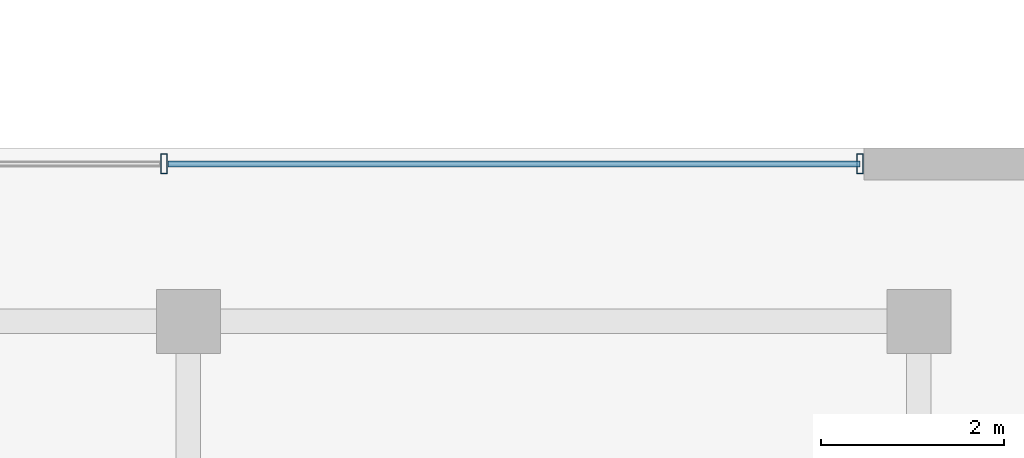
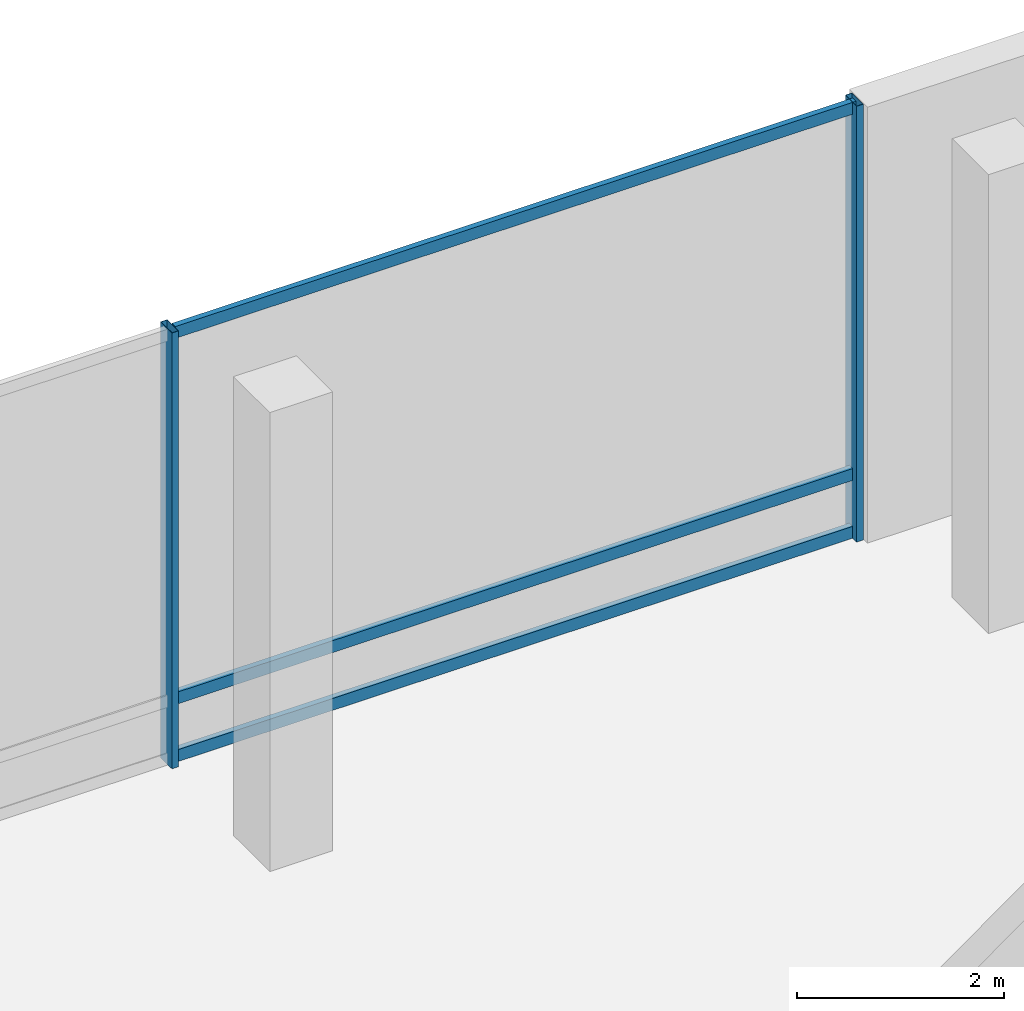
# One storey, part 14 of 25: 5 members, 1 element without a shape of its own.
"""IFC4 building model written with IfcOpenShell, lengths in metres."""

from ifc_helpers import new_model, si_unit, direction, frame, origin, origin_2d, place, context, subcontext, project, spatial, hollow_rectangle, extrude, material, layer, layer_set, material_profile, profile_set, type_object, element, aggregate, save


model = new_model("IFC4")

# Units and contexts
model_context = context("Model", 3, precision=1e-05, world=origin(), true_north=direction((0.0, 1.0)))
body_context = subcontext(model_context, "Body", "Model", "MODEL_VIEW")
ifc_project = project(units=[si_unit("LENGTHUNIT", "METRE"), si_unit("AREAUNIT", "SQUARE_METRE"), si_unit("VOLUMEUNIT", "CUBIC_METRE"), si_unit("PLANEANGLEUNIT", "RADIAN"), si_unit("MASSUNIT", "GRAM", prefix="KILO")], contexts=[model_context])

# Site, building, storey
site_placement = place(None, origin())
site = spatial("IfcSite", under=ifc_project, at=site_placement, CompositionType="ELEMENT")
building_placement = place(site_placement, origin())
building = spatial("IfcBuilding", under=site, at=building_placement, Name="Barlavira Tower and Art Museum", CompositionType="ELEMENT")
storey_placement = place(building_placement, frame((0.0, 0.0, 22.199951171875)))
storey = spatial("IfcBuildingStorey", under=building, at=storey_placement, Name="L04", CompositionType="ELEMENT", Elevation=22.199951171875)

# Curtain wall, members
ifc_material_1 = material(Name="Low-iron coastal laminated glass", Category="glass")
ifc_layer = layer(ifc_material_1, 0.199951171875, Name="Low-iron coastal laminated glass")
ifc_layer_set = layer_set([ifc_layer], Name="Low-iron coastal laminated glass")
curtain_wall_type = type_object("IfcCurtainWallType", Name="Coastal Art Museum North-Light Curtain Wall", PredefinedType="NOTDEFINED", material=ifc_layer_set)
curtain_wall_placement = place(storey_placement, origin())
curtain_wall = element("IfcCurtainWall", 1, at=curtain_wall_placement, inside=storey, type_object=curtain_wall_type, Name="L04 Curtain Wall CW6-MUS-L04-N", PredefinedType="NOTDEFINED")
ifc_material_2 = material(Name="Pale anodised aluminium", Category="aluminium")
ifc_material_profile_1 = material_profile(ifc_material_2, hollow_rectangle(XDim=0.074951171875, YDim=0.219970703125, WallThickness=0.0048828125, at=origin_2d()), Name="ALU-MULL 75x220x5")
ifc_profile_set_1 = profile_set([ifc_material_profile_1], Name="Pale anodised aluminium")
member_type_1 = type_object("IfcMemberType", Name="Curtain Wall Heavy Pale-Metal Mullion 75x220", PredefinedType="MULLION", material=ifc_profile_set_1)
member_1_placement = place(storey_placement, frame((54.955078125, 23.824951171875, 0.0), z_axis=(0.0, 0.0, 1.0), x_axis=(-1.0, 0.0, 0.0)))
member_1 = element("IfcMember", 2, at=member_1_placement, type_object=member_type_1, Name="CW6-MUS-L04-N Mullion 0", PredefinedType="MULLION", context=body_context, shape_type="SweptSolid", body=[
    extrude(hollow_rectangle(XDim=0.074951171875, YDim=0.219970703125, WallThickness=0.0048828125, at=origin_2d()), origin(), (0.0, 0.0, 1.0), 5.130126953125),
])
member_2_placement = place(storey_placement, frame((47.333251953125, 23.824951171875, 0.0), z_axis=(0.0, 0.0, 1.0), x_axis=(-1.0, 0.0, 0.0)))
member_2 = element("IfcMember", 3, at=member_2_placement, type_object=member_type_1, Name="CW6-MUS-L04-N Mullion 1", PredefinedType="MULLION", context=body_context, shape_type="SweptSolid", body=[
    extrude(hollow_rectangle(XDim=0.074951171875, YDim=0.219970703125, WallThickness=0.0048828125, at=origin_2d()), origin(), (0.0, 0.0, 1.0), 5.130126953125),
])
ifc_material_profile_2 = material_profile(ifc_material_2, hollow_rectangle(XDim=0.06494140625, YDim=0.139892578125, WallThickness=0.00390625, at=origin_2d()), Name="ALU-TRAN 65x140x4")
ifc_profile_set_2 = profile_set([ifc_material_profile_2], Name="Pale anodised aluminium")
member_type_2 = type_object("IfcMemberType", Name="Curtain Wall Pale-Metal Transom 65x140", PredefinedType="USERDEFINED", material=ifc_profile_set_2)
member_3_placement = place(storey_placement, frame((54.955078125, 23.824951171875, 0.070068359375), z_axis=(-1.0, 0.0, 0.0), x_axis=(0.0, -1.0, 0.0)))
member_3 = element("IfcMember", 4, at=member_3_placement, type_object=member_type_2, Name="CW6-MUS-L04-N Transom 0.1", ObjectType="TRANSOM", PredefinedType="USERDEFINED", context=body_context, shape_type="SweptSolid", body=[
    extrude(hollow_rectangle(XDim=0.06494140625, YDim=0.139892578125, WallThickness=0.00390625, at=origin_2d()), origin(), (0.0, 0.0, 1.0), 7.57666015625),
])
member_4_placement = place(storey_placement, frame((54.955078125, 23.824951171875, 0.75), z_axis=(-1.0, 0.0, 0.0), x_axis=(0.0, -1.0, 0.0)))
member_4 = element("IfcMember", 5, at=member_4_placement, type_object=member_type_2, Name="CW6-MUS-L04-N Transom 0.2", ObjectType="TRANSOM", PredefinedType="USERDEFINED", context=body_context, shape_type="SweptSolid", body=[
    extrude(hollow_rectangle(XDim=0.06494140625, YDim=0.139892578125, WallThickness=0.00390625, at=origin_2d()), origin(), (0.0, 0.0, 1.0), 7.57666015625),
])
member_5_placement = place(storey_placement, frame((54.955078125, 23.824951171875, 5.06005859375), z_axis=(-1.0, 0.0, 0.0), x_axis=(0.0, -1.0, 0.0)))
member_5 = element("IfcMember", 6, at=member_5_placement, type_object=member_type_2, Name="CW6-MUS-L04-N Transom 0.3", ObjectType="TRANSOM", PredefinedType="USERDEFINED", context=body_context, shape_type="SweptSolid", body=[
    extrude(hollow_rectangle(XDim=0.06494140625, YDim=0.139892578125, WallThickness=0.00390625, at=origin_2d()), origin(), (0.0, 0.0, 1.0), 7.57666015625),
])
aggregate(curtain_wall, [member_1, member_2, member_3, member_4, member_5])

save(model, "model.ifc")
